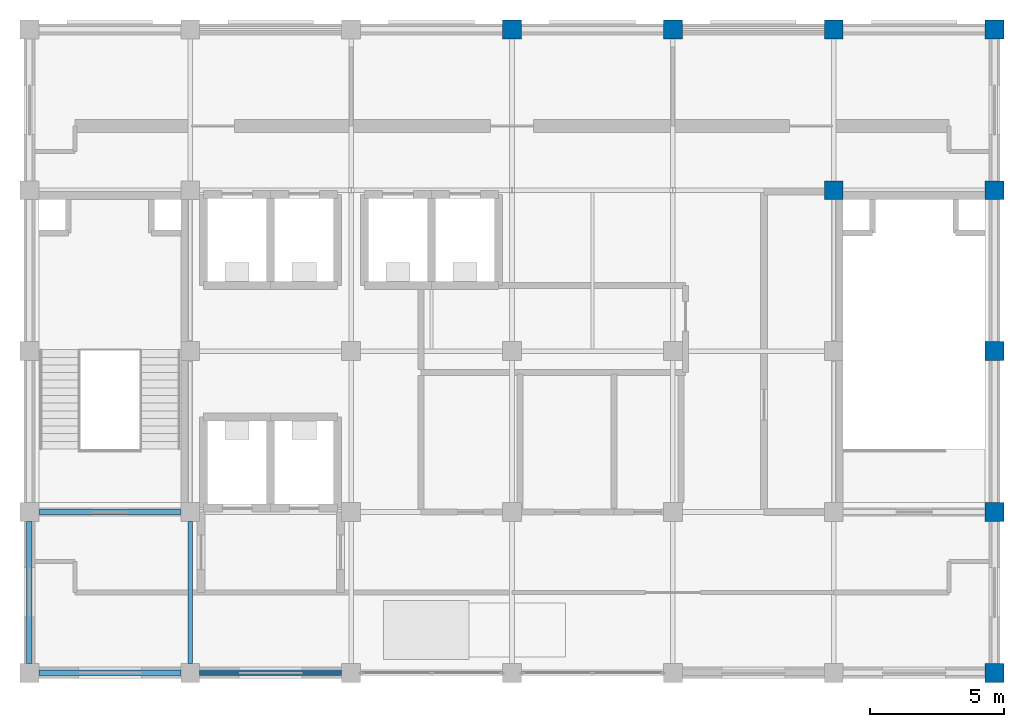
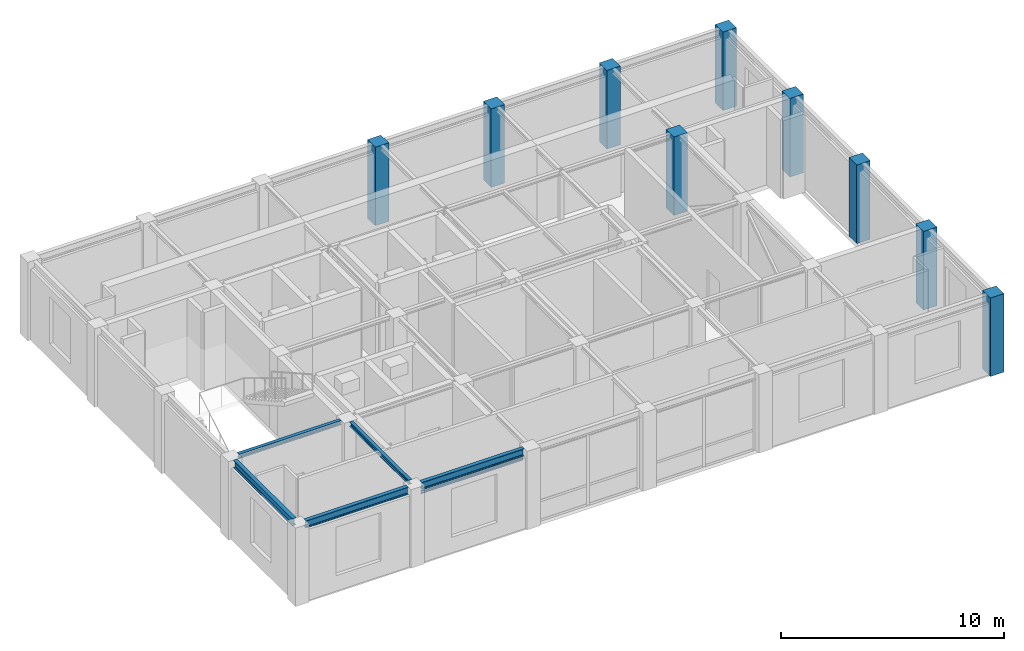
# One storey, part 3 of 11: 9 columns, 6 beams.
"""IFC4 building model written with IfcOpenShell, lengths in metres."""

from ifc_helpers import new_model, si_unit, direction, frame, origin, origin_2d, place, context, subcontext, project, spatial, rectangle, i_section, extrude, material, material_profile, profile_set, type_object, element, save


model = new_model("IFC4")

# Units and contexts
model_context = context("Model", 3, precision=1e-05, world=origin(), true_north=direction((0.0, 1.0)))
body_context = subcontext(model_context, "Body", "Model", "MODEL_VIEW")
ifc_project = project(units=[si_unit("LENGTHUNIT", "METRE"), si_unit("AREAUNIT", "SQUARE_METRE"), si_unit("VOLUMEUNIT", "CUBIC_METRE"), si_unit("PLANEANGLEUNIT", "RADIAN"), si_unit("MASSUNIT", "GRAM", prefix="KILO")], contexts=[model_context])

# Site, building, storey
site_placement = place(None, origin())
site = spatial("IfcSite", under=ifc_project, at=site_placement, CompositionType="ELEMENT")
building_placement = place(site_placement, origin())
building = spatial("IfcBuilding", under=site, at=building_placement, Name="Zlatovratsky Civic Hall", CompositionType="ELEMENT")
storey_placement = place(building_placement, frame((0.0, 0.0, 72.0)))
storey = spatial("IfcBuildingStorey", under=building, at=storey_placement, Name="L18", CompositionType="ELEMENT", Elevation=72.0)

# Columns
ifc_material_1 = material(Name="Concrete C35/45 (B40)", Category="concrete")
ifc_material_profile_1 = material_profile(ifc_material_1, rectangle(XDim=0.699951171875, YDim=0.699951171875, at=origin_2d()), Name="RC 700x700")
ifc_profile_set_1 = profile_set([ifc_material_profile_1], Name="Concrete C35/45 (B40)")
column_type = type_object("IfcColumnType", Name="Col_CorePier_RC700", PredefinedType="COLUMN", material=ifc_profile_set_1)
for number, where, z_axis, x_axis, name in (
    (1, (102.0, 78.0, 0.0), (0.0, 0.0, 1.0), (1.0, 0.0, 0.0), "CL-2686"),
    (2, (102.0, 84.0, 0.0), (0.0, 0.0, 1.0), (1.0, 0.0, 0.0), "CL-2693"),
    (3, (102.0, 90.0, 0.0), (0.0, 0.0, 1.0), (1.0, 0.0, 0.0), "CL-2700"),
    (4, (96.0, 96.0, 0.0), (0.0, 0.0, 1.0), (1.0, 0.0, 0.0), "CL-2706"),
    (5, (102.0, 96.0, 0.0), (0.0, 0.0, 1.0), (1.0, 0.0, 0.0), "CL-2707"),
    (6, (84.0, 102.0, 0.0), (0.0, 0.0, 1.0), (1.0, 0.0, 0.0), "CL-2711"),
    (7, (90.0, 102.0, 0.0), (0.0, 0.0, 1.0), (1.0, 0.0, 0.0), "CL-2712"),
    (8, (96.0, 102.0, 0.0), (0.0, 0.0, 1.0), (1.0, 0.0, 0.0), "CL-2713"),
    (9, (102.0, 102.0, 0.0), (0.0, 0.0, 1.0), (1.0, 0.0, 0.0), "CL-2714"),
):
    element("IfcColumn", number, at=place(storey_placement, frame(where, z_axis=z_axis, x_axis=x_axis)), inside=storey, type_object=column_type, Name=name, PredefinedType="COLUMN", context=body_context, shape_type="SweptSolid", body=[
        extrude(rectangle(XDim=0.699951171875, YDim=0.699951171875, at=origin_2d()), origin(), (0.0, 0.0, 1.0), 4.300048828125),
    ])

# Beams
ifc_material_2 = material(Name="Steel S355", Category="steel")
ifc_material_profile_2 = material_profile(ifc_material_2, i_section(OverallWidth=0.175048828125, OverallDepth=0.243896484375, WebThickness=0.007080078125, FlangeThickness=0.010986328125, FilletRadius=0.01611328125, at=origin_2d()), Name="25Sh1")
ifc_profile_set_2 = profile_set([ifc_material_profile_2], Name="Steel S355")
beam_type_1 = type_object("IfcBeamType", Name="Beam_Crown_25Sh1", PredefinedType="BEAM", material=ifc_profile_set_2)
for number, where, z_axis, x_axis, name in (
    (10, (66.35009765625, 84.0, 4.177978515625), (1.0, 0.0, 0.0), (0.0, 1.0, 0.0), "BM-5257"),
    (11, (72.0, 78.35009765625, 4.177978515625), (0.0, 1.0, 0.0), (-1.0, 0.0, 0.0), "BM-5283"),
):
    element("IfcBeam", number, at=place(storey_placement, frame(where, z_axis=z_axis, x_axis=x_axis)), inside=storey, type_object=beam_type_1, Name=name, PredefinedType="BEAM", context=body_context, shape_type="SweptSolid", body=[
        extrude(i_section(OverallWidth=0.175048828125, OverallDepth=0.243896484375, WebThickness=0.007080078125, FlangeThickness=0.010986328125, FilletRadius=0.01611328125, at=origin_2d()), origin(), (0.0, 0.0, 1.0), 5.2998046875),
    ])
ifc_material_profile_3 = material_profile(ifc_material_2, i_section(OverallWidth=0.199951171875, OverallDepth=0.39990234375, WebThickness=0.008056640625, FlangeThickness=0.012939453125, FilletRadius=0.014892578125, at=origin_2d()), Name="40B2")
ifc_profile_set_3 = profile_set([ifc_material_profile_3], Name="Steel S355")
beam_type_2 = type_object("IfcBeamType", Name="Beam_Spandrel_40B2", PredefinedType="SPANDREL", material=ifc_profile_set_3)
for number, where, z_axis, x_axis, name in (
    (12, (66.35009765625, 78.0, 4.10009765625), (1.0, 0.0, 0.0), (0.0, 1.0, 0.0), "BM-5251"),
    (13, (72.35009765625, 78.0, 4.10009765625), (1.0, 0.0, 0.0), (0.0, 1.0, 0.0), "BM-5252"),
    (14, (66.0, 78.35009765625, 4.10009765625), (0.0, 1.0, 0.0), (-1.0, 0.0, 0.0), "BM-5279"),
):
    element("IfcBeam", number, at=place(storey_placement, frame(where, z_axis=z_axis, x_axis=x_axis)), inside=storey, type_object=beam_type_2, Name=name, PredefinedType="SPANDREL", context=body_context, shape_type="SweptSolid", body=[
        extrude(i_section(OverallWidth=0.199951171875, OverallDepth=0.39990234375, WebThickness=0.008056640625, FlangeThickness=0.012939453125, FilletRadius=0.014892578125, at=origin_2d()), origin(), (0.0, 0.0, 1.0), 5.2998046875),
    ])
ifc_material_profile_4 = material_profile(ifc_material_2, i_section(OverallWidth=0.08203125, OverallDepth=0.156982421875, WebThickness=0.00390625, FlangeThickness=0.005859375, FilletRadius=0.009033203125, at=origin_2d()), Name="16B1")
ifc_profile_set_4 = profile_set([ifc_material_profile_4], Name="Steel S355")
beam_type_3 = type_object("IfcBeamType", Name="Lintel_Window_16B1", PredefinedType="LINTEL", material=ifc_profile_set_4)
beam_placement = place(storey_placement, frame((72.35009765625, 78.0, 3.719970703125), z_axis=(1.0, 0.0, 0.0), x_axis=(0.0, 1.0, 0.0)))
element("IfcBeam", 15, at=beam_placement, inside=storey, type_object=beam_type_3, Name="BM-5406", PredefinedType="LINTEL", context=body_context, shape_type="SweptSolid", body=[
    extrude(i_section(OverallWidth=0.08203125, OverallDepth=0.156982421875, WebThickness=0.00390625, FlangeThickness=0.005859375, FilletRadius=0.009033203125, at=origin_2d()), origin(), (0.0, 0.0, 1.0), 5.2998046875),
])

save(model, "model.ifc")
